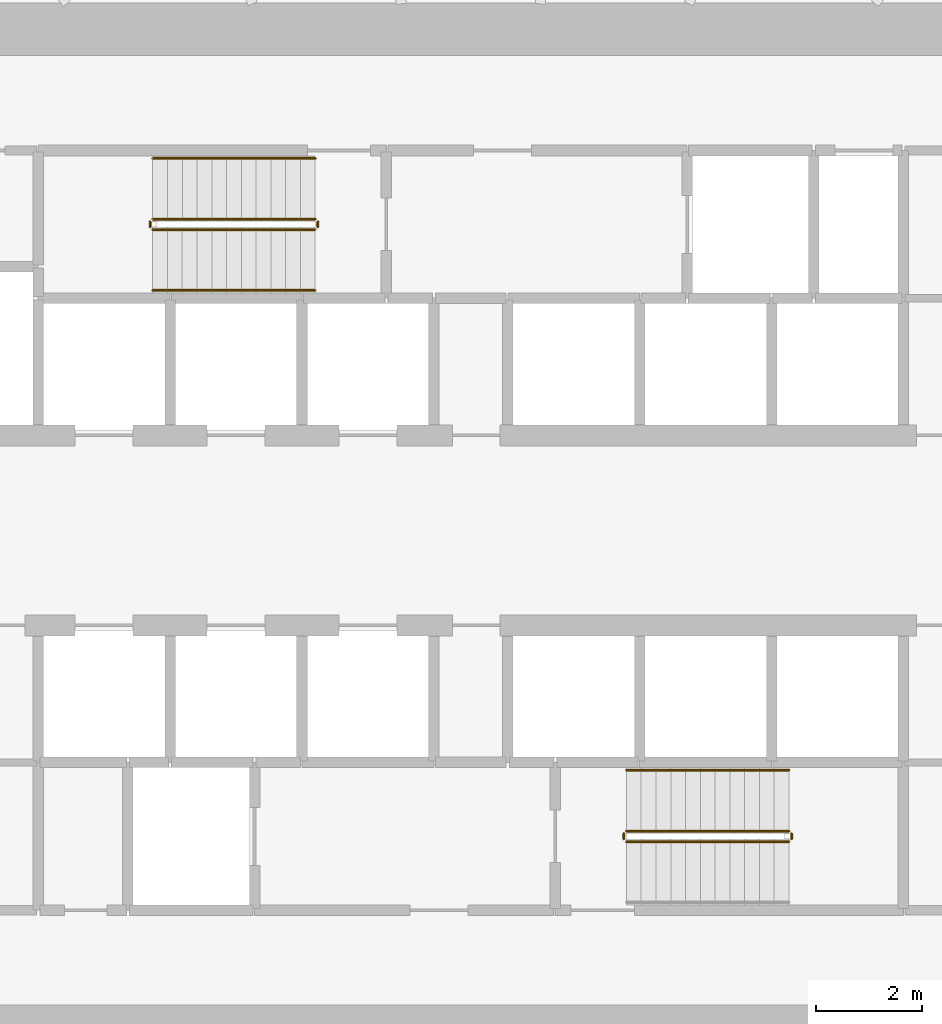
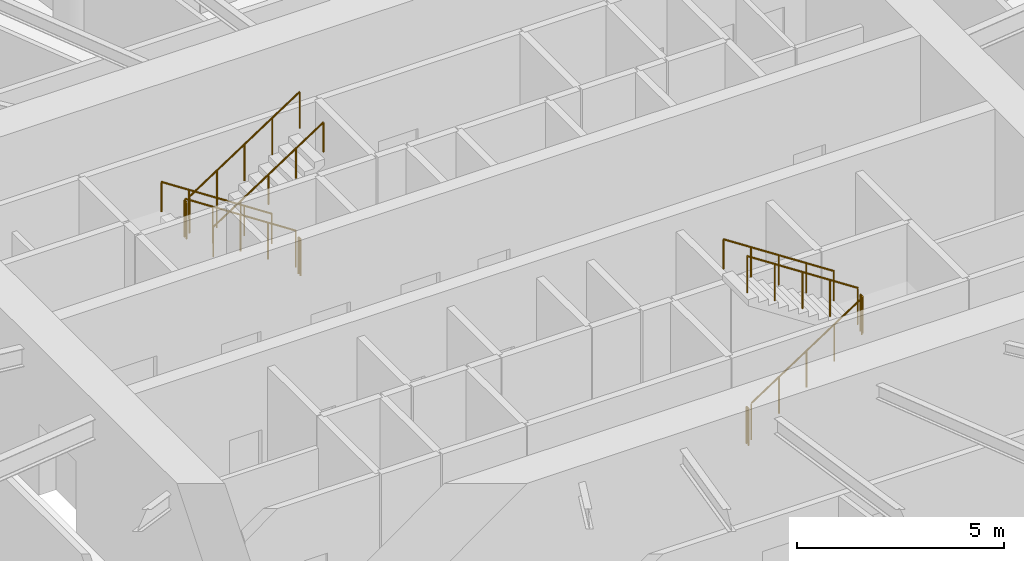
# One storey, part 17 of 18: 11 railings.
"""IFC4 building model written with IfcOpenShell, lengths in metres."""

from ifc_helpers import new_model, si_unit, direction, frame, origin, origin_2d, place, context, subcontext, project, spatial, circle, extrude, material, type_object, element, save


model = new_model("IFC4")

# Units and contexts
model_context = context("Model", 3, precision=1e-05, world=origin(), true_north=direction((0.0, 1.0)))
body_context = subcontext(model_context, "Body", "Model", "MODEL_VIEW")
ifc_project = project(units=[si_unit("LENGTHUNIT", "METRE"), si_unit("AREAUNIT", "SQUARE_METRE"), si_unit("VOLUMEUNIT", "CUBIC_METRE"), si_unit("PLANEANGLEUNIT", "RADIAN"), si_unit("MASSUNIT", "GRAM", prefix="KILO")], contexts=[model_context])

# Site, building, storey
site_placement = place(None, origin())
site = spatial("IfcSite", under=ifc_project, at=site_placement, CompositionType="ELEMENT")
building_placement = place(site_placement, origin())
building = spatial("IfcBuilding", under=site, at=building_placement, Name="Spindrift Exchange Tower", CompositionType="ELEMENT")
storey_placement = place(building_placement, frame((0.0, 0.0, 71.0)))
storey = spatial("IfcBuildingStorey", under=building, at=storey_placement, Name="L16", CompositionType="ELEMENT", Elevation=71.0)

# Railings
ifc_material_1 = material(Name="Steel balustrade", Category="steel")
railing_type_1 = type_object("IfcRailingType", Name="RL-STAIR-GUARD", PredefinedType="GUARDRAIL", material=ifc_material_1)
railing_1_placement = place(storey_placement, frame((49.050048828125, 53.89990234375, 0.183349609375)))
element("IfcRailing", 1, at=railing_1_placement, inside=storey, type_object=railing_type_1, Name="L16 ST1 stair guard 1", PredefinedType="GUARDRAIL", context=body_context, shape_type="SweptSolid", body=[
    extrude(circle(Radius=0.02392578125, at=origin_2d()), frame((0.0, 0.0, 1.076171875), z_axis=(-0.836633000464, 0.0, 0.547763838287), x_axis=(0.0, -1.0, 0.0)), (0.0, 0.0, 1.0), 3.681396484375),
    extrude(circle(Radius=0.02099609375, at=origin_2d()), origin(), (0.0, 0.0, 1.0), 1.052001953125),
    extrude(circle(Radius=0.02099609375, at=origin_2d()), frame((-0.77001953125, 0.0, 0.504150390625)), (0.0, 0.0, 1.0), 1.052001953125),
    extrude(circle(Radius=0.02099609375, at=origin_2d()), frame((-1.5400390625, 0.0, 1.00830078125)), (0.0, 0.0, 1.0), 1.052001953125),
    extrude(circle(Radius=0.02099609375, at=origin_2d()), frame((-2.31005859375, 0.0, 1.512451171875)), (0.0, 0.0, 1.0), 1.052001953125),
    extrude(circle(Radius=0.02099609375, at=origin_2d()), frame((-3.080078125, 0.0, 2.0166015625)), (0.0, 0.0, 1.0), 1.052001953125),
])
railing_2_placement = place(storey_placement, frame((45.919921875, 53.85009765625, 2.199951171875)))
element("IfcRailing", 2, at=railing_2_placement, inside=storey, type_object=railing_type_1, Name="L16 ST1 stair guard 2", PredefinedType="GUARDRAIL", context=body_context, shape_type="SweptSolid", body=[
    extrude(circle(Radius=0.02392578125, at=origin_2d()), frame((0.0, 0.0, 1.076171875), z_axis=(0.0, -1.0, 0.0), x_axis=(1.0, 0.0, 0.0)), (0.0, 0.0, 1.0), 0.10009765625),
    extrude(circle(Radius=0.02099609375, at=origin_2d()), origin(), (0.0, 0.0, 1.0), 1.052001953125),
    extrude(circle(Radius=0.02099609375, at=origin_2d()), frame((0.0, -0.10009765625, 0.0)), (0.0, 0.0, 1.0), 1.052001953125),
])
railing_3_placement = place(storey_placement, frame((45.969970703125, 53.699951171875, 2.38330078125)))
element("IfcRailing", 3, at=railing_3_placement, inside=storey, type_object=railing_type_1, Name="L16 ST1 stair guard 3", PredefinedType="GUARDRAIL", context=body_context, shape_type="SweptSolid", body=[
    extrude(circle(Radius=0.02392578125, at=origin_2d()), frame((0.0, 0.0, 1.076171875), z_axis=(0.836633000464, 0.0, 0.547763838287), x_axis=(0.0, 1.0, 0.0)), (0.0, 0.0, 1.0), 3.681396484375),
    extrude(circle(Radius=0.02099609375, at=origin_2d()), origin(), (0.0, 0.0, 1.0), 1.052001953125),
    extrude(circle(Radius=0.02099609375, at=origin_2d()), frame((0.77001953125, 0.0, 0.504150390625)), (0.0, 0.0, 1.0), 1.052001953125),
    extrude(circle(Radius=0.02099609375, at=origin_2d()), frame((1.5400390625, 0.0, 1.00830078125)), (0.0, 0.0, 1.0), 1.052001953125),
    extrude(circle(Radius=0.02099609375, at=origin_2d()), frame((2.31005859375, 0.0, 1.512451171875)), (0.0, 0.0, 1.0), 1.052001953125),
    extrude(circle(Radius=0.02099609375, at=origin_2d()), frame((3.080078125, 0.0, 2.0166015625)), (0.0, 0.0, 1.0), 1.052001953125),
])
railing_4_placement = place(storey_placement, frame((49.10009765625, 53.85009765625, 0.0)))
element("IfcRailing", 4, at=railing_4_placement, inside=storey, type_object=railing_type_1, Name="L16 ST1 stair guard 4", PredefinedType="GUARDRAIL", context=body_context, shape_type="SweptSolid", body=[
    extrude(circle(Radius=0.02392578125, at=origin_2d()), frame((0.0, 0.0, 1.076171875), z_axis=(0.0, -1.0, 0.0), x_axis=(1.0, 0.0, 0.0)), (0.0, 0.0, 1.0), 0.10009765625),
    extrude(circle(Radius=0.02099609375, at=origin_2d()), origin(), (0.0, 0.0, 1.0), 1.052001953125),
    extrude(circle(Radius=0.02099609375, at=origin_2d()), frame((0.0, -0.10009765625, 0.0)), (0.0, 0.0, 1.0), 1.052001953125),
])
railing_5_placement = place(storey_placement, frame((54.949951171875, 42.10009765625, 0.183349609375)))
element("IfcRailing", 5, at=railing_5_placement, inside=storey, type_object=railing_type_1, Name="L16 ST2 stair guard 1", PredefinedType="GUARDRAIL", context=body_context, shape_type="SweptSolid", body=[
    extrude(circle(Radius=0.02392578125, at=origin_2d()), frame((0.0, 0.0, 1.076171875), z_axis=(0.836633000464, 0.0, 0.547763838287), x_axis=(0.0, 1.0, 0.0)), (0.0, 0.0, 1.0), 3.681396484375),
    extrude(circle(Radius=0.02099609375, at=origin_2d()), origin(), (0.0, 0.0, 1.0), 1.052001953125),
    extrude(circle(Radius=0.02099609375, at=origin_2d()), frame((0.77001953125, 0.0, 0.504150390625)), (0.0, 0.0, 1.0), 1.052001953125),
    extrude(circle(Radius=0.02099609375, at=origin_2d()), frame((1.5400390625, 0.0, 1.00830078125)), (0.0, 0.0, 1.0), 1.052001953125),
    extrude(circle(Radius=0.02099609375, at=origin_2d()), frame((2.31005859375, 0.0, 1.512451171875)), (0.0, 0.0, 1.0), 1.052001953125),
    extrude(circle(Radius=0.02099609375, at=origin_2d()), frame((3.080078125, 0.0, 2.0166015625)), (0.0, 0.0, 1.0), 1.052001953125),
])
railing_6_placement = place(storey_placement, frame((58.080078125, 42.14990234375, 2.199951171875)))
element("IfcRailing", 6, at=railing_6_placement, inside=storey, type_object=railing_type_1, Name="L16 ST2 stair guard 2", PredefinedType="GUARDRAIL", context=body_context, shape_type="SweptSolid", body=[
    extrude(circle(Radius=0.02392578125, at=origin_2d()), frame((0.0, 0.0, 1.076171875), z_axis=(0.0, 1.0, 0.0), x_axis=(-1.0, 0.0, 0.0)), (0.0, 0.0, 1.0), 0.10009765625),
    extrude(circle(Radius=0.02099609375, at=origin_2d()), origin(), (0.0, 0.0, 1.0), 1.052001953125),
    extrude(circle(Radius=0.02099609375, at=origin_2d()), frame((0.0, 0.10009765625, 0.0)), (0.0, 0.0, 1.0), 1.052001953125),
])
railing_7_placement = place(storey_placement, frame((58.030029296875, 42.300048828125, 2.38330078125)))
element("IfcRailing", 7, at=railing_7_placement, inside=storey, type_object=railing_type_1, Name="L16 ST2 stair guard 3", PredefinedType="GUARDRAIL", context=body_context, shape_type="SweptSolid", body=[
    extrude(circle(Radius=0.02392578125, at=origin_2d()), frame((0.0, 0.0, 1.076171875), z_axis=(-0.836633000464, 0.0, 0.547763838287), x_axis=(0.0, -1.0, 0.0)), (0.0, 0.0, 1.0), 3.681396484375),
    extrude(circle(Radius=0.02099609375, at=origin_2d()), origin(), (0.0, 0.0, 1.0), 1.052001953125),
    extrude(circle(Radius=0.02099609375, at=origin_2d()), frame((-0.77001953125, 0.0, 0.504150390625)), (0.0, 0.0, 1.0), 1.052001953125),
    extrude(circle(Radius=0.02099609375, at=origin_2d()), frame((-1.5400390625, 0.0, 1.00830078125)), (0.0, 0.0, 1.0), 1.052001953125),
    extrude(circle(Radius=0.02099609375, at=origin_2d()), frame((-2.31005859375, 0.0, 1.512451171875)), (0.0, 0.0, 1.0), 1.052001953125),
    extrude(circle(Radius=0.02099609375, at=origin_2d()), frame((-3.080078125, 0.0, 2.0166015625)), (0.0, 0.0, 1.0), 1.052001953125),
])
railing_8_placement = place(storey_placement, frame((54.89990234375, 42.14990234375, 0.0)))
element("IfcRailing", 8, at=railing_8_placement, inside=storey, type_object=railing_type_1, Name="L16 ST2 stair guard 4", PredefinedType="GUARDRAIL", context=body_context, shape_type="SweptSolid", body=[
    extrude(circle(Radius=0.02392578125, at=origin_2d()), frame((0.0, 0.0, 1.076171875), z_axis=(0.0, 1.0, 0.0), x_axis=(-1.0, 0.0, 0.0)), (0.0, 0.0, 1.0), 0.10009765625),
    extrude(circle(Radius=0.02099609375, at=origin_2d()), origin(), (0.0, 0.0, 1.0), 1.052001953125),
    extrude(circle(Radius=0.02099609375, at=origin_2d()), frame((0.0, 0.10009765625, 0.0)), (0.0, 0.0, 1.0), 1.052001953125),
])
ifc_material_2 = material(Name="Steel tubular handrail", Category="steel")
railing_type_2 = type_object("IfcRailingType", Name="RL-STAIR-HAND", PredefinedType="HANDRAIL", material=ifc_material_2)
railing_9_placement = place(storey_placement, frame((49.050048828125, 55.050048828125, 0.183349609375)))
element("IfcRailing", 9, at=railing_9_placement, inside=storey, type_object=railing_type_2, Name="L16 ST1 stair handrail 1", PredefinedType="HANDRAIL", context=body_context, shape_type="SweptSolid", body=[
    extrude(circle(Radius=0.02392578125, at=origin_2d()), frame((0.0, 0.0, 0.8759765625), z_axis=(-0.836633000464, 0.0, 0.547763838287), x_axis=(0.0, -1.0, 0.0)), (0.0, 0.0, 1.0), 3.681396484375),
    extrude(circle(Radius=0.02099609375, at=origin_2d()), origin(), (0.0, 0.0, 1.0), 0.851806640625),
    extrude(circle(Radius=0.02099609375, at=origin_2d()), frame((-0.77001953125, 0.0, 0.504150390625)), (0.0, 0.0, 1.0), 0.851806640625),
    extrude(circle(Radius=0.02099609375, at=origin_2d()), frame((-1.5400390625, 0.0, 1.00830078125)), (0.0, 0.0, 1.0), 0.851806640625),
    extrude(circle(Radius=0.02099609375, at=origin_2d()), frame((-2.31005859375, 0.0, 1.512451171875)), (0.0, 0.0, 1.0), 0.851806640625),
    extrude(circle(Radius=0.02099609375, at=origin_2d()), frame((-3.080078125, 0.0, 2.0166015625)), (0.0, 0.0, 1.0), 0.851806640625),
])
railing_10_placement = place(storey_placement, frame((45.969970703125, 52.550048828125, 2.38330078125)))
element("IfcRailing", 10, at=railing_10_placement, inside=storey, type_object=railing_type_2, Name="L16 ST1 stair handrail 2", PredefinedType="HANDRAIL", context=body_context, shape_type="SweptSolid", body=[
    extrude(circle(Radius=0.02392578125, at=origin_2d()), frame((0.0, 0.0, 0.8759765625), z_axis=(0.836633000464, 0.0, 0.547763838287), x_axis=(0.0, 1.0, 0.0)), (0.0, 0.0, 1.0), 3.681396484375),
    extrude(circle(Radius=0.02099609375, at=origin_2d()), origin(), (0.0, 0.0, 1.0), 0.851806640625),
    extrude(circle(Radius=0.02099609375, at=origin_2d()), frame((0.77001953125, 0.0, 0.504150390625)), (0.0, 0.0, 1.0), 0.851806640625),
    extrude(circle(Radius=0.02099609375, at=origin_2d()), frame((1.5400390625, 0.0, 1.00830078125)), (0.0, 0.0, 1.0), 0.851806640625),
    extrude(circle(Radius=0.02099609375, at=origin_2d()), frame((2.31005859375, 0.0, 1.512451171875)), (0.0, 0.0, 1.0), 0.851806640625),
    extrude(circle(Radius=0.02099609375, at=origin_2d()), frame((3.080078125, 0.0, 2.0166015625)), (0.0, 0.0, 1.0), 0.851806640625),
])
railing_11_placement = place(storey_placement, frame((58.030029296875, 43.449951171875, 2.38330078125)))
element("IfcRailing", 11, at=railing_11_placement, inside=storey, type_object=railing_type_2, Name="L16 ST2 stair handrail 2", PredefinedType="HANDRAIL", context=body_context, shape_type="SweptSolid", body=[
    extrude(circle(Radius=0.02392578125, at=origin_2d()), frame((0.0, 0.0, 0.8759765625), z_axis=(-0.836633000464, 0.0, 0.547763838287), x_axis=(0.0, -1.0, 0.0)), (0.0, 0.0, 1.0), 3.681396484375),
    extrude(circle(Radius=0.02099609375, at=origin_2d()), origin(), (0.0, 0.0, 1.0), 0.851806640625),
    extrude(circle(Radius=0.02099609375, at=origin_2d()), frame((-0.77001953125, 0.0, 0.504150390625)), (0.0, 0.0, 1.0), 0.851806640625),
    extrude(circle(Radius=0.02099609375, at=origin_2d()), frame((-1.5400390625, 0.0, 1.00830078125)), (0.0, 0.0, 1.0), 0.851806640625),
    extrude(circle(Radius=0.02099609375, at=origin_2d()), frame((-2.31005859375, 0.0, 1.512451171875)), (0.0, 0.0, 1.0), 0.851806640625),
    extrude(circle(Radius=0.02099609375, at=origin_2d()), frame((-3.080078125, 0.0, 2.0166015625)), (0.0, 0.0, 1.0), 0.851806640625),
])

save(model, "model.ifc")
